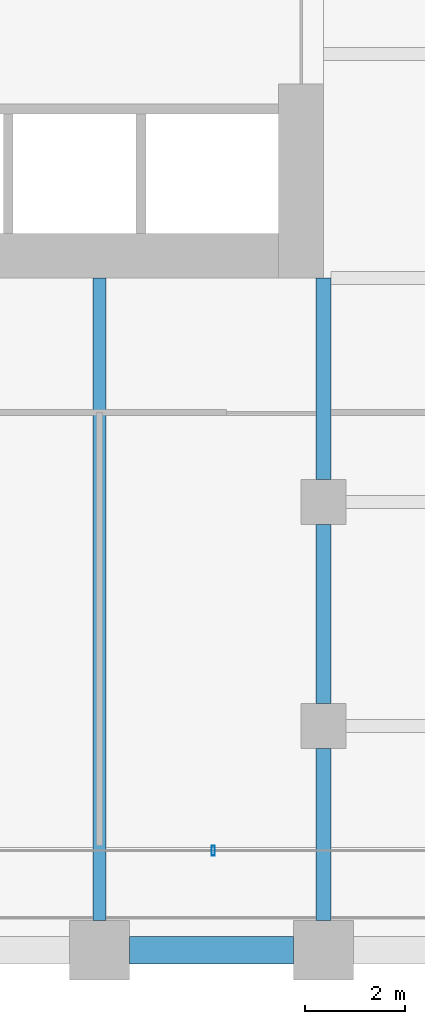
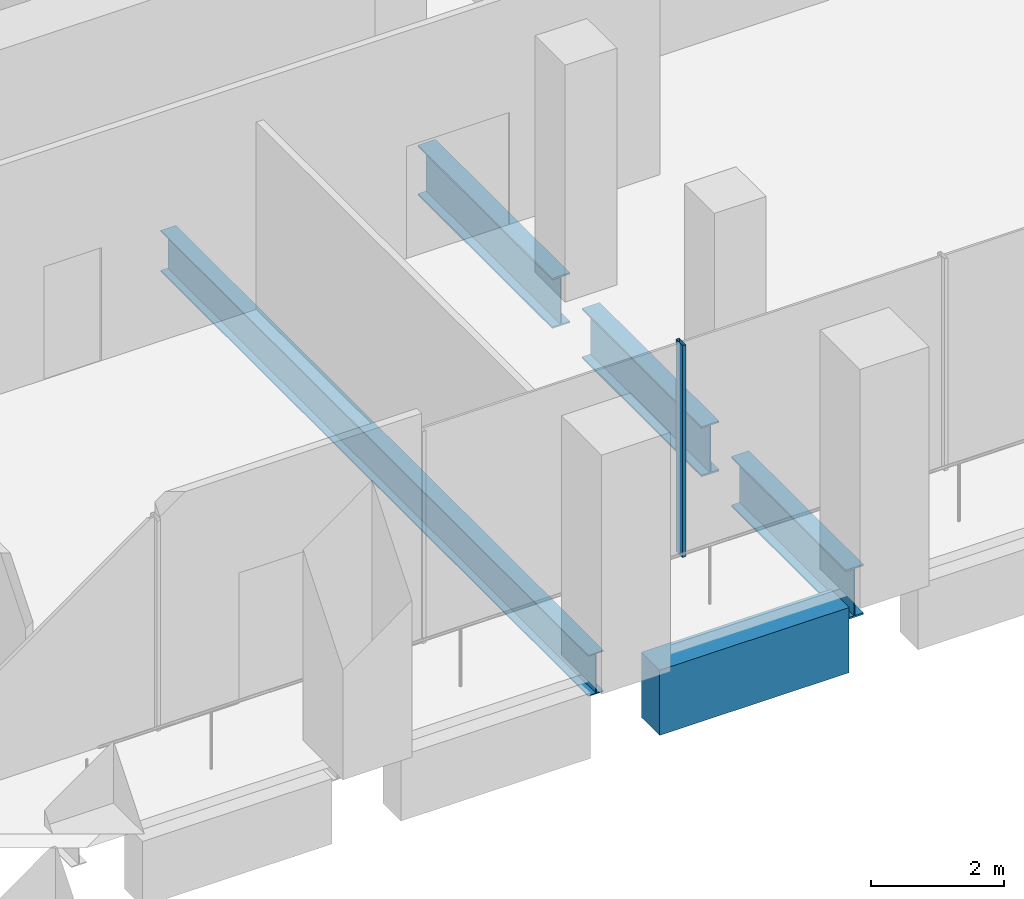
# One storey, part 6 of 36: 5 beams, 1 member, 1 element without a shape of its own.
"""IFC4 building model written with IfcOpenShell, lengths in metres."""

import ifcopenshell
import ifcopenshell.guid

model = None  # the IFC model being written
_history = None  # IfcOwnerHistory: only IFC2X3 demands one
_inside = {}  # id of a spatial element -> (the spatial element, [elements in it])
_under = {}  # id of a project, library or spatial element -> (it, [spatial elements below it])
_declared = {}  # id of a project -> (the project, [libraries it declares])
_typed = {}  # id of a type object -> (the type object, [elements of that type])
_made_of = {}  # id of a material, layer set ... -> (it, [elements and type objects made of it])


def new_model(schema):
    """Start an empty IFC model of exactly this schema.

    Asked for "IFC4X3", IfcOpenShell would pick the latest addendum, in which some entities
    have other attributes; the version numbers below select the first issue.
    IFC2X3 requires an IfcOwnerHistory on every rooted entity: one is made here for all.
    """
    global model, _history
    if schema == "IFC4X3":
        model = ifcopenshell.file(schema_version=(4, 3, 0, 0))
    else:
        model = ifcopenshell.file(schema=schema)
    _inside.clear()
    _under.clear()
    _declared.clear()
    _typed.clear()
    _made_of.clear()
    _history = None
    if model.schema == "IFC2X3":
        org = make("IfcOrganization", Name="unknown")
        user = make(
            "IfcPersonAndOrganization",
            ThePerson=make("IfcPerson", FamilyName="unknown"),
            TheOrganization=org,
        )
        app = make(
            "IfcApplication",
            ApplicationDeveloper=org,
            Version="unknown",
            ApplicationFullName="unknown",
            ApplicationIdentifier="unknown",
        )
        _history = make(
            "IfcOwnerHistory",
            OwningUser=user,
            OwningApplication=app,
            ChangeAction="ADDED",
            CreationDate=0,
        )
    return model


def make(cls, **values):
    """One entity of the class cls with the attributes given. An attribute that is None is left unset."""
    return model.create_entity(
        cls, **{name: value for name, value in values.items() if value is not None}
    )


def rooted(cls, **values):
    """An entity with a GlobalId (a new one), such as an element, a storey or a relation."""
    return make(cls, GlobalId=ifcopenshell.guid.new(), OwnerHistory=_history, **values)


def si_unit(unit_type, name, prefix=None):
    """IfcSIUnit, for example si_unit("LENGTHUNIT", "METRE", prefix="MILLI")."""
    return make("IfcSIUnit", UnitType=unit_type, Prefix=prefix, Name=name)


def assignment(units):
    """IfcUnitAssignment: the units of a project."""
    return None if units is None else make("IfcUnitAssignment", Units=units)


def point(xyz):
    """IfcCartesianPoint."""
    return None if xyz is None else make("IfcCartesianPoint", Coordinates=xyz)


def direction(xyz):
    """IfcDirection."""
    return None if xyz is None else make("IfcDirection", DirectionRatios=xyz)


def frame(location, z_axis=None, x_axis=None):
    """IfcAxis2Placement3D, a coordinate frame: its origin and axes. An axis left out is left unset."""
    return make(
        "IfcAxis2Placement3D",
        Location=point(location),
        Axis=direction(z_axis),
        RefDirection=direction(x_axis),
    )


def frame_2d(location, x_axis=None):
    """IfcAxis2Placement2D, a coordinate frame in the plane: its origin and x axis."""
    return make(
        "IfcAxis2Placement2D", Location=point(location), RefDirection=direction(x_axis)
    )


def origin():
    """The frame at (0, 0, 0) with its axes left unset."""
    return frame((0.0, 0.0, 0.0))


def origin_2d():
    """The frame at (0, 0) in the plane with its x axis left unset."""
    return frame_2d((0.0, 0.0))


def place(relative_to, where):
    """IfcLocalPlacement: puts the frame where relative to a parent placement (None: the world)."""
    return make(
        "IfcLocalPlacement", PlacementRelTo=relative_to, RelativePlacement=where
    )


def context(
    kind, dimensions, precision=None, world=None, true_north=None, identifier=None
):
    """IfcGeometricRepresentationContext, for example the 3D "Model" context."""
    return make(
        "IfcGeometricRepresentationContext",
        ContextIdentifier=identifier,
        ContextType=kind,
        CoordinateSpaceDimension=dimensions,
        Precision=precision,
        WorldCoordinateSystem=world,
        TrueNorth=true_north,
    )


def subcontext(parent, identifier, kind, view, scale=None):
    """IfcGeometricRepresentationSubContext, for example "Body" below "Model"."""
    return make(
        "IfcGeometricRepresentationSubContext",
        ContextIdentifier=identifier,
        ContextType=kind,
        ParentContext=parent,
        TargetScale=scale,
        TargetView=view,
    )


def project(units=None, contexts=None):
    """IfcProject with its units and contexts."""
    return rooted(
        "IfcProject",
        Name="project",
        RepresentationContexts=contexts,
        UnitsInContext=assignment(units),
    )


def spatial(cls, under=None, at=None, **own):
    """A site, building, storey or space (cls), placed at a placement, below another one or the project."""
    s = rooted(cls, ObjectPlacement=at, **own)
    if under is not None:
        _under.setdefault(under.id(), (under, []))[1].append(s)
    return s


def profile(cls, at=None, kind="AREA", **sizes):
    """A parametric profile (cls). Its sizes go by their IFC names, for example OverallWidth=200.0."""
    return make(cls, ProfileType=kind, Position=at, **sizes)


def rectangle(**sizes):
    """IfcRectangleProfileDef."""
    return profile("IfcRectangleProfileDef", **sizes)


def hollow_rectangle(**sizes):
    """IfcRectangleHollowProfileDef."""
    return profile("IfcRectangleHollowProfileDef", **sizes)


def i_section(**sizes):
    """IfcIShapeProfileDef."""
    return profile("IfcIShapeProfileDef", **sizes)


def extrude(swept, where, along, depth):
    """IfcExtrudedAreaSolid: the profile swept, set in the frame where, extruded along a direction by depth."""
    return make(
        "IfcExtrudedAreaSolid",
        SweptArea=swept,
        Position=where,
        ExtrudedDirection=direction(along),
        Depth=depth,
    )


def shape(context_of_items, identifier, shape_type, items):
    """IfcShapeRepresentation: the items that make up one representation, for example the "Body"."""
    return make(
        "IfcShapeRepresentation",
        ContextOfItems=context_of_items,
        RepresentationIdentifier=identifier,
        RepresentationType=shape_type,
        Items=items,
    )


def material(Name=None, Category=None):
    """IfcMaterial."""
    return make("IfcMaterial", Name=Name, Category=Category)


def material_profile(
    of_material, cross_section, Name=None, Category=None, Priority=None
):
    """IfcMaterialProfile: a cross section and its material."""
    return make(
        "IfcMaterialProfile",
        Name=Name,
        Material=of_material,
        Profile=cross_section,
        Priority=Priority,
        Category=Category,
    )


def profile_set(profiles, Name=None, composite=None):
    """IfcMaterialProfileSet."""
    return make(
        "IfcMaterialProfileSet",
        Name=Name,
        MaterialProfiles=profiles,
        CompositeProfile=composite,
    )


def made_of(thing, what):
    """Note that an element or type object is made of a material, layer set ...; save() writes the relation."""
    if what is not None:
        _made_of.setdefault(what.id(), (what, []))[1].append(thing)
    return thing


def type_object(cls, material=None, **own):
    """A type object (cls), such as IfcWallType, which elements share."""
    return made_of(rooted(cls, **own), material)


def element(
    cls,
    number,
    at=None,
    inside=None,
    cuts=None,
    type_object=None,
    material=None,
    context=None,
    identifier="Body",
    shape_type=None,
    held_by="IfcProductDefinitionShape",
    body=None,
    shapes=None,
    **own,
):
    """One element of the class cls, such as IfcWall. Its Tag is "e" and its number.

    at: its placement. inside: the storey or other place that contains it. cuts: it is an
    opening in that element (IfcRelVoidsElement). A single representation is given by context,
    identifier, shape_type and body (its items); several are given by shapes. held_by: the class
    of the entity that holds the representations. save() writes the other relations.
    """
    e = rooted(cls, Tag="e%d" % number, ObjectPlacement=at, **own)
    if body is not None:
        shapes = [shape(context, identifier, shape_type, body)]
    if shapes is not None:
        e.Representation = make(held_by, Representations=shapes)
    if inside is not None:
        _inside.setdefault(inside.id(), (inside, []))[1].append(e)
    if cuts is not None:
        rooted(
            "IfcRelVoidsElement", RelatingBuildingElement=cuts, RelatedOpeningElement=e
        )
    if type_object is not None:
        _typed.setdefault(type_object.id(), (type_object, []))[1].append(e)
    return made_of(e, material)


def aggregate(whole, parts):
    """IfcRelAggregates: a whole, such as a stair, and the parts it consists of."""
    return rooted("IfcRelAggregates", RelatingObject=whole, RelatedObjects=parts)


def save(model, path):
    """Write the relations noted so far, then the file.

    IfcRelAggregates (storeys below a building ...), IfcRelContainedInSpatialStructure (elements
    in a storey), IfcRelDefinesByType, IfcRelAssociatesMaterial and IfcRelDeclares: one each for
    every whole, place, type object, material and project.
    """
    for whole, parts in _under.values():
        aggregate(whole, parts)
    for where, things in _inside.values():
        rooted(
            "IfcRelContainedInSpatialStructure",
            RelatedElements=things,
            RelatingStructure=where,
        )
    for kind, things in _typed.values():
        rooted("IfcRelDefinesByType", RelatedObjects=things, RelatingType=kind)
    for what, things in _made_of.values():
        rooted("IfcRelAssociatesMaterial", RelatedObjects=things, RelatingMaterial=what)
    for by, libraries in _declared.values():
        rooted("IfcRelDeclares", RelatingContext=by, RelatedDefinitions=libraries)
    model.write(path)


model = new_model("IFC4")

# Units and contexts
model_context = context("Model", 3, precision=1e-05, world=origin(), true_north=direction((0.0, 1.0)))
body_context = subcontext(model_context, "Body", "Model", "MODEL_VIEW")
ifc_project = project(units=[si_unit("LENGTHUNIT", "METRE"), si_unit("AREAUNIT", "SQUARE_METRE"), si_unit("VOLUMEUNIT", "CUBIC_METRE"), si_unit("PLANEANGLEUNIT", "RADIAN"), si_unit("MASSUNIT", "GRAM", prefix="KILO")], contexts=[model_context])

# Site, building, storey
site_placement = place(None, origin())
site = spatial("IfcSite", under=ifc_project, at=site_placement, CompositionType="ELEMENT")
building_placement = place(site_placement, origin())
building = spatial("IfcBuilding", under=site, at=building_placement, Name="Altepetl Exchange Towers", CompositionType="ELEMENT")
storey_placement = place(building_placement, frame((0.0, 0.0, 34.199951171875)))
storey = spatial("IfcBuildingStorey", under=building, at=storey_placement, Name="L07", CompositionType="ELEMENT", Elevation=34.199951171875)

# Beams
ifc_material_1 = material(Name="Steel S355", Category="steel")
ifc_material_profile_1 = material_profile(ifc_material_1, i_section(OverallWidth=0.26611328125, OverallDepth=0.758056640625, WebThickness=0.013916015625, FlangeThickness=0.019287109375, at=origin_2d()), Name="W30X108")
ifc_profile_set_1 = profile_set([ifc_material_profile_1], Name="Steel S355")
beam_type_1 = type_object("IfcBeamType", Name="Floor beam W30X108", PredefinedType="BEAM", material=ifc_profile_set_1)
beam_1_placement = place(storey_placement, frame((54.0, 27.60009765625, -0.553955078125), z_axis=(0.0, 1.0, 0.0), x_axis=(-1.0, 0.0, 0.0)))
element("IfcBeam", 1, at=beam_1_placement, inside=storey, type_object=beam_type_1, Name="bm:A:L07:017", PredefinedType="BEAM", context=body_context, shape_type="SweptSolid", body=[
    extrude(i_section(OverallWidth=0.26611328125, OverallDepth=0.758056640625, WebThickness=0.013916015625, FlangeThickness=0.019287109375, at=origin_2d()), origin(), (0.0, 0.0, 1.0), 12.89990234375),
])
ifc_material_profile_2 = material_profile(ifc_material_1, i_section(OverallWidth=0.306884765625, OverallDepth=0.923095703125, WebThickness=0.018310546875, FlangeThickness=0.030029296875, at=origin_2d()), Name="W36X182")
ifc_profile_set_2 = profile_set([ifc_material_profile_2], Name="Steel S355")
beam_type_2 = type_object("IfcBeamType", Name="Girder W36X182", PredefinedType="BEAM", material=ifc_profile_set_2)
beam_2_placement = place(storey_placement, frame((58.5, 40.5, -0.636474609375), z_axis=(0.0, -1.0, 0.0), x_axis=(1.0, 0.0, 0.0)))
element("IfcBeam", 2, at=beam_2_placement, inside=storey, type_object=beam_type_2, Name="gd:A:L07:006", PredefinedType="BEAM", context=body_context, shape_type="SweptSolid", body=[
    extrude(i_section(OverallWidth=0.306884765625, OverallDepth=0.923095703125, WebThickness=0.018310546875, FlangeThickness=0.030029296875, at=origin_2d()), origin(), (0.0, 0.0, 1.0), 4.050048828125),
])
beam_3_placement = place(storey_placement, frame((58.5, 35.550048828125, -0.636474609375), z_axis=(0.0, -1.0, 0.0), x_axis=(1.0, 0.0, 0.0)))
element("IfcBeam", 3, at=beam_3_placement, inside=storey, type_object=beam_type_2, Name="gd:A:L07:007", PredefinedType="BEAM", context=body_context, shape_type="SweptSolid", body=[
    extrude(i_section(OverallWidth=0.306884765625, OverallDepth=0.923095703125, WebThickness=0.018310546875, FlangeThickness=0.030029296875, at=origin_2d()), origin(), (0.0, 0.0, 1.0), 3.60009765625),
])
beam_4_placement = place(storey_placement, frame((58.5, 31.050048828125, -0.636474609375), z_axis=(0.0, -1.0, 0.0), x_axis=(1.0, 0.0, 0.0)))
element("IfcBeam", 4, at=beam_4_placement, inside=storey, type_object=beam_type_2, Name="gd:A:L07:008", PredefinedType="BEAM", context=body_context, shape_type="SweptSolid", body=[
    extrude(i_section(OverallWidth=0.306884765625, OverallDepth=0.923095703125, WebThickness=0.018310546875, FlangeThickness=0.030029296875, at=origin_2d()), origin(), (0.0, 0.0, 1.0), 3.449951171875),
])

# Curtain wall, member
ifc_material_2 = material(Name="Aluminium 6063-T6 glazing", Category="aluminium")
curtain_wall_type = type_object("IfcCurtainWallType", Name="Trading floor glazing system", PredefinedType="NOTDEFINED", material=ifc_material_2)
curtain_wall_placement = place(storey_placement, origin())
curtain_wall = element("IfcCurtainWall", 5, at=curtain_wall_placement, inside=storey, type_object=curtain_wall_type, Name="CW2 run", PredefinedType="NOTDEFINED")
ifc_material_3 = material(Name="Aluminium 6063-T6", Category="aluminium")
ifc_material_profile_3 = material_profile(ifc_material_3, hollow_rectangle(XDim=0.06005859375, YDim=0.199951171875, WallThickness=0.0029296875, at=origin_2d()), Name="Mullion 60x200 aluminium")
ifc_profile_set_3 = profile_set([ifc_material_profile_3], Name="Aluminium 6063-T6")
member_type = type_object("IfcMemberType", Name="Mullion 60x200 aluminium", PredefinedType="MULLION", material=ifc_profile_set_3)
member_placement = place(storey_placement, frame((56.28564453125, 29.0, 0.0)))
member = element("IfcMember", 6, at=member_placement, type_object=member_type, Name="MU2 mullion", PredefinedType="MULLION", context=body_context, shape_type="SweptSolid", body=[
    extrude(hollow_rectangle(XDim=0.06005859375, YDim=0.199951171875, WallThickness=0.0029296875, at=origin_2d()), origin(), (0.0, 0.0, 1.0), 3.900146484375),
])
aggregate(curtain_wall, [member])

# Beam
ifc_material_4 = material(Name="Concrete C50/60 precast with cantera blanca facing", Category="concrete")
ifc_material_profile_4 = material_profile(ifc_material_4, rectangle(XDim=0.550048828125, YDim=1.199951171875, at=origin_2d()), Name="550 x 1200")
ifc_profile_set_4 = profile_set([ifc_material_profile_4], Name="Concrete C50/60 precast with cantera blanca facing")
beam_type_3 = type_object("IfcBeamType", Name="Spandrel beam 550x1200 cantera blanca", PredefinedType="SPANDREL", material=ifc_profile_set_4)
beam_5_placement = place(storey_placement, frame((54.60009765625, 27.0, -0.77490234375), z_axis=(1.0, 0.0, 0.0), x_axis=(0.0, 1.0, 0.0)))
element("IfcBeam", 7, at=beam_5_placement, inside=storey, type_object=beam_type_3, Name="sp:A:L07:005", PredefinedType="SPANDREL", context=body_context, shape_type="SweptSolid", body=[
    extrude(rectangle(XDim=0.550048828125, YDim=1.199951171875, at=origin_2d()), origin(), (0.0, 0.0, 1.0), 3.2998046875),
])

save(model, "model.ifc")
